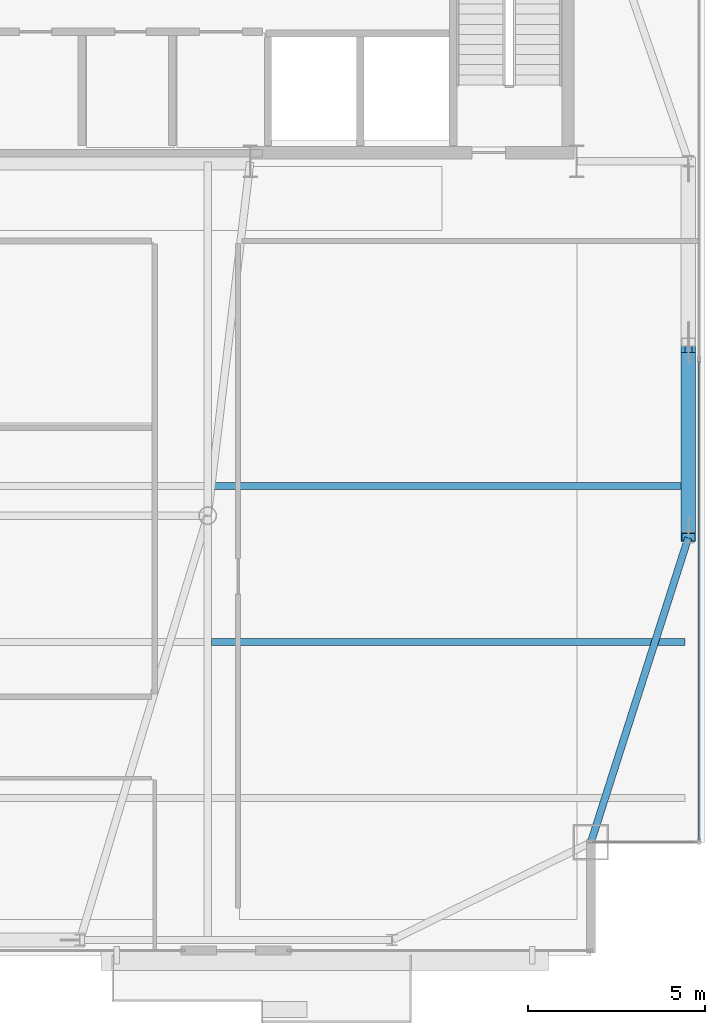
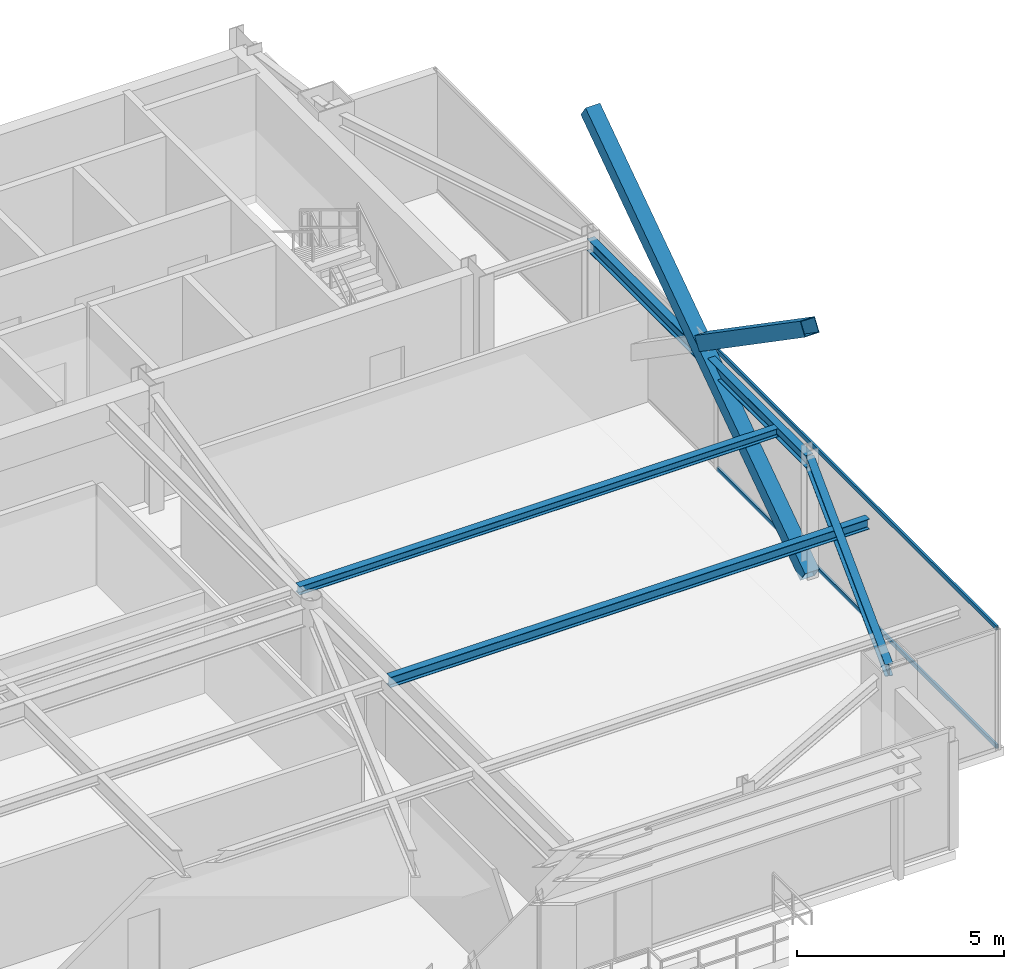
# One storey, part 13 of 25: 4 beams, 4 members, 1 element without a shape of its own.
"""IFC4 building model written with IfcOpenShell, lengths in metres."""

import ifcopenshell
import ifcopenshell.guid

model = None  # the IFC model being written
_history = None  # IfcOwnerHistory: only IFC2X3 demands one
_inside = {}  # id of a spatial element -> (the spatial element, [elements in it])
_under = {}  # id of a project, library or spatial element -> (it, [spatial elements below it])
_declared = {}  # id of a project -> (the project, [libraries it declares])
_typed = {}  # id of a type object -> (the type object, [elements of that type])
_made_of = {}  # id of a material, layer set ... -> (it, [elements and type objects made of it])


def new_model(schema):
    """Start an empty IFC model of exactly this schema.

    Asked for "IFC4X3", IfcOpenShell would pick the latest addendum, in which some entities
    have other attributes; the version numbers below select the first issue.
    IFC2X3 requires an IfcOwnerHistory on every rooted entity: one is made here for all.
    """
    global model, _history
    if schema == "IFC4X3":
        model = ifcopenshell.file(schema_version=(4, 3, 0, 0))
    else:
        model = ifcopenshell.file(schema=schema)
    _inside.clear()
    _under.clear()
    _declared.clear()
    _typed.clear()
    _made_of.clear()
    _history = None
    if model.schema == "IFC2X3":
        org = make("IfcOrganization", Name="unknown")
        user = make(
            "IfcPersonAndOrganization",
            ThePerson=make("IfcPerson", FamilyName="unknown"),
            TheOrganization=org,
        )
        app = make(
            "IfcApplication",
            ApplicationDeveloper=org,
            Version="unknown",
            ApplicationFullName="unknown",
            ApplicationIdentifier="unknown",
        )
        _history = make(
            "IfcOwnerHistory",
            OwningUser=user,
            OwningApplication=app,
            ChangeAction="ADDED",
            CreationDate=0,
        )
    return model


def make(cls, **values):
    """One entity of the class cls with the attributes given. An attribute that is None is left unset."""
    return model.create_entity(
        cls, **{name: value for name, value in values.items() if value is not None}
    )


def rooted(cls, **values):
    """An entity with a GlobalId (a new one), such as an element, a storey or a relation."""
    return make(cls, GlobalId=ifcopenshell.guid.new(), OwnerHistory=_history, **values)


def si_unit(unit_type, name, prefix=None):
    """IfcSIUnit, for example si_unit("LENGTHUNIT", "METRE", prefix="MILLI")."""
    return make("IfcSIUnit", UnitType=unit_type, Prefix=prefix, Name=name)


def assignment(units):
    """IfcUnitAssignment: the units of a project."""
    return None if units is None else make("IfcUnitAssignment", Units=units)


def point(xyz):
    """IfcCartesianPoint."""
    return None if xyz is None else make("IfcCartesianPoint", Coordinates=xyz)


def direction(xyz):
    """IfcDirection."""
    return None if xyz is None else make("IfcDirection", DirectionRatios=xyz)


def frame(location, z_axis=None, x_axis=None):
    """IfcAxis2Placement3D, a coordinate frame: its origin and axes. An axis left out is left unset."""
    return make(
        "IfcAxis2Placement3D",
        Location=point(location),
        Axis=direction(z_axis),
        RefDirection=direction(x_axis),
    )


def frame_2d(location, x_axis=None):
    """IfcAxis2Placement2D, a coordinate frame in the plane: its origin and x axis."""
    return make(
        "IfcAxis2Placement2D", Location=point(location), RefDirection=direction(x_axis)
    )


def origin():
    """The frame at (0, 0, 0) with its axes left unset."""
    return frame((0.0, 0.0, 0.0))


def origin_2d():
    """The frame at (0, 0) in the plane with its x axis left unset."""
    return frame_2d((0.0, 0.0))


def place(relative_to, where):
    """IfcLocalPlacement: puts the frame where relative to a parent placement (None: the world)."""
    return make(
        "IfcLocalPlacement", PlacementRelTo=relative_to, RelativePlacement=where
    )


def context(
    kind, dimensions, precision=None, world=None, true_north=None, identifier=None
):
    """IfcGeometricRepresentationContext, for example the 3D "Model" context."""
    return make(
        "IfcGeometricRepresentationContext",
        ContextIdentifier=identifier,
        ContextType=kind,
        CoordinateSpaceDimension=dimensions,
        Precision=precision,
        WorldCoordinateSystem=world,
        TrueNorth=true_north,
    )


def subcontext(parent, identifier, kind, view, scale=None):
    """IfcGeometricRepresentationSubContext, for example "Body" below "Model"."""
    return make(
        "IfcGeometricRepresentationSubContext",
        ContextIdentifier=identifier,
        ContextType=kind,
        ParentContext=parent,
        TargetScale=scale,
        TargetView=view,
    )


def project(units=None, contexts=None):
    """IfcProject with its units and contexts."""
    return rooted(
        "IfcProject",
        Name="project",
        RepresentationContexts=contexts,
        UnitsInContext=assignment(units),
    )


def spatial(cls, under=None, at=None, **own):
    """A site, building, storey or space (cls), placed at a placement, below another one or the project."""
    s = rooted(cls, ObjectPlacement=at, **own)
    if under is not None:
        _under.setdefault(under.id(), (under, []))[1].append(s)
    return s


def profile(cls, at=None, kind="AREA", **sizes):
    """A parametric profile (cls). Its sizes go by their IFC names, for example OverallWidth=200.0."""
    return make(cls, ProfileType=kind, Position=at, **sizes)


def hollow_rectangle(**sizes):
    """IfcRectangleHollowProfileDef."""
    return profile("IfcRectangleHollowProfileDef", **sizes)


def i_section(**sizes):
    """IfcIShapeProfileDef."""
    return profile("IfcIShapeProfileDef", **sizes)


def extrude(swept, where, along, depth):
    """IfcExtrudedAreaSolid: the profile swept, set in the frame where, extruded along a direction by depth."""
    return make(
        "IfcExtrudedAreaSolid",
        SweptArea=swept,
        Position=where,
        ExtrudedDirection=direction(along),
        Depth=depth,
    )


def shape(context_of_items, identifier, shape_type, items):
    """IfcShapeRepresentation: the items that make up one representation, for example the "Body"."""
    return make(
        "IfcShapeRepresentation",
        ContextOfItems=context_of_items,
        RepresentationIdentifier=identifier,
        RepresentationType=shape_type,
        Items=items,
    )


def source(mapping_origin, context_of_items, identifier, shape_type, items):
    """IfcRepresentationMap: a shape defined once, which mapped items show again and again."""
    return make(
        "IfcRepresentationMap",
        MappingOrigin=mapping_origin,
        MappedRepresentation=shape(context_of_items, identifier, shape_type, items),
    )


def transform(
    local_origin,
    x_axis=None,
    y_axis=None,
    z_axis=None,
    scale=None,
    scale2=None,
    scale3=None,
    uniform=True,
):
    """IfcCartesianTransformationOperator3D, or its non-uniform kind. x_axis, y_axis, z_axis: its Axis1, 2, 3."""
    if uniform:
        return make(
            "IfcCartesianTransformationOperator3D",
            Axis1=direction(x_axis),
            Axis2=direction(y_axis),
            LocalOrigin=point(local_origin),
            Scale=scale,
            Axis3=direction(z_axis),
        )
    return make(
        "IfcCartesianTransformationOperator3DnonUniform",
        Axis1=direction(x_axis),
        Axis2=direction(y_axis),
        LocalOrigin=point(local_origin),
        Scale=scale,
        Axis3=direction(z_axis),
        Scale2=scale2,
        Scale3=scale3,
    )


def mapped(mapping_source, mapping_target):
    """IfcMappedItem: shows the shape of a source again, moved by a transform."""
    return make(
        "IfcMappedItem", MappingSource=mapping_source, MappingTarget=mapping_target
    )


def material(Name=None, Category=None):
    """IfcMaterial."""
    return make("IfcMaterial", Name=Name, Category=Category)


def layer(
    of_material, thickness, ventilated=None, Name=None, Category=None, Priority=None
):
    """IfcMaterialLayer: one layer of a wall or slab, of a material (None: an air gap)."""
    return make(
        "IfcMaterialLayer",
        Material=of_material,
        LayerThickness=thickness,
        IsVentilated=ventilated,
        Name=Name,
        Category=Category,
        Priority=Priority,
    )


def layer_set(layers, Name=None):
    """IfcMaterialLayerSet."""
    return make("IfcMaterialLayerSet", MaterialLayers=layers, LayerSetName=Name)


def material_profile(
    of_material, cross_section, Name=None, Category=None, Priority=None
):
    """IfcMaterialProfile: a cross section and its material."""
    return make(
        "IfcMaterialProfile",
        Name=Name,
        Material=of_material,
        Profile=cross_section,
        Priority=Priority,
        Category=Category,
    )


def profile_set(profiles, Name=None, composite=None):
    """IfcMaterialProfileSet."""
    return make(
        "IfcMaterialProfileSet",
        Name=Name,
        MaterialProfiles=profiles,
        CompositeProfile=composite,
    )


def made_of(thing, what):
    """Note that an element or type object is made of a material, layer set ...; save() writes the relation."""
    if what is not None:
        _made_of.setdefault(what.id(), (what, []))[1].append(thing)
    return thing


def type_object(cls, material=None, **own):
    """A type object (cls), such as IfcWallType, which elements share."""
    return made_of(rooted(cls, **own), material)


def type_shapes(of_type, sources):
    """Give a type object the sources (RepresentationMaps) that its elements show as mapped items."""
    of_type.RepresentationMaps = sources


def element(
    cls,
    number,
    at=None,
    inside=None,
    cuts=None,
    type_object=None,
    material=None,
    context=None,
    identifier="Body",
    shape_type=None,
    held_by="IfcProductDefinitionShape",
    body=None,
    shapes=None,
    **own,
):
    """One element of the class cls, such as IfcWall. Its Tag is "e" and its number.

    at: its placement. inside: the storey or other place that contains it. cuts: it is an
    opening in that element (IfcRelVoidsElement). A single representation is given by context,
    identifier, shape_type and body (its items); several are given by shapes. held_by: the class
    of the entity that holds the representations. save() writes the other relations.
    """
    e = rooted(cls, Tag="e%d" % number, ObjectPlacement=at, **own)
    if body is not None:
        shapes = [shape(context, identifier, shape_type, body)]
    if shapes is not None:
        e.Representation = make(held_by, Representations=shapes)
    if inside is not None:
        _inside.setdefault(inside.id(), (inside, []))[1].append(e)
    if cuts is not None:
        rooted(
            "IfcRelVoidsElement", RelatingBuildingElement=cuts, RelatedOpeningElement=e
        )
    if type_object is not None:
        _typed.setdefault(type_object.id(), (type_object, []))[1].append(e)
    return made_of(e, material)


def aggregate(whole, parts):
    """IfcRelAggregates: a whole, such as a stair, and the parts it consists of."""
    return rooted("IfcRelAggregates", RelatingObject=whole, RelatedObjects=parts)


def save(model, path):
    """Write the relations noted so far, then the file.

    IfcRelAggregates (storeys below a building ...), IfcRelContainedInSpatialStructure (elements
    in a storey), IfcRelDefinesByType, IfcRelAssociatesMaterial and IfcRelDeclares: one each for
    every whole, place, type object, material and project.
    """
    for whole, parts in _under.values():
        aggregate(whole, parts)
    for where, things in _inside.values():
        rooted(
            "IfcRelContainedInSpatialStructure",
            RelatedElements=things,
            RelatingStructure=where,
        )
    for kind, things in _typed.values():
        rooted("IfcRelDefinesByType", RelatedObjects=things, RelatingType=kind)
    for what, things in _made_of.values():
        rooted("IfcRelAssociatesMaterial", RelatedObjects=things, RelatingMaterial=what)
    for by, libraries in _declared.values():
        rooted("IfcRelDeclares", RelatingContext=by, RelatedDefinitions=libraries)
    model.write(path)


model = new_model("IFC4")

# Units and contexts
model_context = context("Model", 3, precision=1e-05, world=origin(), true_north=direction((0.0, 1.0)))
body_context = subcontext(model_context, "Body", "Model", "MODEL_VIEW")
ifc_project = project(units=[si_unit("LENGTHUNIT", "METRE"), si_unit("AREAUNIT", "SQUARE_METRE"), si_unit("VOLUMEUNIT", "CUBIC_METRE"), si_unit("PLANEANGLEUNIT", "RADIAN"), si_unit("MASSUNIT", "GRAM", prefix="KILO")], contexts=[model_context])

# Site, building, storey
site_placement = place(None, origin())
site = spatial("IfcSite", under=ifc_project, at=site_placement, CompositionType="ELEMENT")
building_placement = place(site_placement, origin())
building = spatial("IfcBuilding", under=site, at=building_placement, Name="Varnel Quay Broadcast Tower", CompositionType="ELEMENT")
storey_placement = place(building_placement, frame((0.0, 0.0, 288.800048828125)))
storey = spatial("IfcBuildingStorey", under=building, at=storey_placement, Name="L72", CompositionType="ELEMENT", Elevation=288.800048828125)

# Beams
ifc_material_1 = material(Name="Structural Steel CSA G40.21 350W", Category="steel")
ifc_material_profile_1 = material_profile(ifc_material_1, i_section(OverallWidth=0.205078125, OverallDepth=0.35400390625, WebThickness=0.009521484375, FlangeThickness=0.016845703125, FilletRadius=0.012939453125, at=origin_2d()), Name="W360X79")
ifc_profile_set_1 = profile_set([ifc_material_profile_1], Name="Structural Steel CSA G40.21 350W")
beam_type_1 = type_object("IfcBeamType", Name="Beam_W360X79", PredefinedType="SPANDREL", material=ifc_profile_set_1)
shared_shape_1 = source(origin(), body_context, "Body", "SweptSolid", [
    extrude(i_section(OverallWidth=0.205078125, OverallDepth=0.35400390625, WebThickness=0.009521484375, FlangeThickness=0.016845703125, FilletRadius=0.012939453125, at=origin_2d()), origin(), (0.0, 0.0, 1.0), 8.989013671875),
])
beam_1_placement = place(storey_placement, frame((52.80615234375, 16.4189453125, 3.373046875), z_axis=(0.304568770162, 0.952490348635, 0.0), x_axis=(-0.952490348635, 0.304568770162, 0.0)))
element("IfcBeam", 1, at=beam_1_placement, inside=storey, type_object=beam_type_1, Name="L72 East Spandrel MC-SE-TC-E1", PredefinedType="SPANDREL", context=body_context, shape_type="MappedRepresentation", body=[
    mapped(shared_shape_1, transform((0.0, 0.0, 0.0), x_axis=(1.0, 0.0, 0.0), y_axis=(0.0, 1.0, 0.0), z_axis=(0.0, 0.0, 1.0), scale=1.0)),
])
shared_shape_2 = source(origin(), body_context, "Body", "SweptSolid", [
    extrude(i_section(OverallWidth=0.205078125, OverallDepth=0.35400390625, WebThickness=0.009521484375, FlangeThickness=0.016845703125, FilletRadius=0.012939453125, at=origin_2d()), origin(), (0.0, 0.0, 1.0), 10.56005859375),
])
type_shapes(beam_type_1, [shared_shape_1, shared_shape_2])
beam_2_placement = place(storey_placement, frame((55.550048828125, 25.02001953125, 3.373046875), z_axis=(0.0, 1.0, 0.0), x_axis=(-1.0, 0.0, 0.0)))
element("IfcBeam", 2, at=beam_2_placement, inside=storey, type_object=beam_type_1, Name="L72 East Spandrel TC-E1-TC-E2", PredefinedType="SPANDREL", context=body_context, shape_type="MappedRepresentation", body=[
    mapped(shared_shape_2, transform((0.0, 0.0, 0.0), x_axis=(1.0, 0.0, 0.0), y_axis=(0.0, 1.0, 0.0), z_axis=(0.0, 0.0, 1.0), scale=1.0)),
])
ifc_material_profile_2 = material_profile(ifc_material_1, i_section(OverallWidth=0.201904296875, OverallDepth=0.2470703125, WebThickness=0.00732421875, FlangeThickness=0.010986328125, FilletRadius=0.010986328125, at=origin_2d()), Name="W250X49")
ifc_profile_set_2 = profile_set([ifc_material_profile_2], Name="Structural Steel CSA G40.21 350W")
beam_type_2 = type_object("IfcBeamType", Name="Beam_W250X49", PredefinedType="JOIST", material=ifc_profile_set_2)
shared_shape_3 = source(origin(), body_context, "Body", "SweptSolid", [
    extrude(i_section(OverallWidth=0.201904296875, OverallDepth=0.2470703125, WebThickness=0.00732421875, FlangeThickness=0.010986328125, FilletRadius=0.010986328125, at=origin_2d()), origin(), (0.0, 0.0, 1.0), 13.351318359375),
])
type_shapes(beam_type_2, [shared_shape_3])
beam_3_placement = place(storey_placement, frame((42.10107421875, 26.449951171875, 3.426513671875), z_axis=(1.0, 0.0, 0.0), x_axis=(0.0, 1.0, 0.0)))
element("IfcBeam", 3, at=beam_3_placement, inside=storey, type_object=beam_type_2, Name="L72 East Floor Joist 3", PredefinedType="JOIST", context=body_context, shape_type="MappedRepresentation", body=[
    mapped(shared_shape_3, transform((0.0, 0.0, 0.0), x_axis=(1.0, 0.0, 0.0), y_axis=(0.0, 1.0, 0.0), z_axis=(0.0, 0.0, 1.0), scale=1.0)),
])
ifc_material_profile_3 = material_profile(ifc_material_1, i_section(OverallWidth=0.202880859375, OverallDepth=0.302978515625, WebThickness=0.007568359375, FlangeThickness=0.01318359375, FilletRadius=0.011962890625, at=origin_2d()), Name="W310X60")
ifc_profile_set_3 = profile_set([ifc_material_profile_3], Name="Structural Steel CSA G40.21 350W")
beam_type_3 = type_object("IfcBeamType", Name="Beam_W310X60", PredefinedType="JOIST", material=ifc_profile_set_3)
shared_shape_4 = source(origin(), body_context, "Body", "SweptSolid", [
    extrude(i_section(OverallWidth=0.202880859375, OverallDepth=0.302978515625, WebThickness=0.007568359375, FlangeThickness=0.01318359375, FilletRadius=0.011962890625, at=origin_2d()), origin(), (0.0, 0.0, 1.0), 13.351318359375),
])
type_shapes(beam_type_3, [shared_shape_4])
beam_4_placement = place(storey_placement, frame((42.10107421875, 22.050048828125, 3.3984375), z_axis=(1.0, 0.0, 0.0), x_axis=(0.0, 1.0, 0.0)))
element("IfcBeam", 4, at=beam_4_placement, inside=storey, type_object=beam_type_3, Name="L72 East Floor Joist 2", PredefinedType="JOIST", context=body_context, shape_type="MappedRepresentation", body=[
    mapped(shared_shape_4, transform((0.0, 0.0, 0.0), x_axis=(1.0, 0.0, 0.0), y_axis=(0.0, 1.0, 0.0), z_axis=(0.0, 0.0, 1.0), scale=1.0)),
])

# Members
ifc_material_profile_4 = material_profile(ifc_material_1, hollow_rectangle(XDim=0.406005859375, YDim=0.406005859375, WallThickness=0.01611328125, at=origin_2d()), Name="HSS406X406X16")
ifc_profile_set_4 = profile_set([ifc_material_profile_4], Name="Structural Steel CSA G40.21 350W")
member_type_1 = type_object("IfcMemberType", Name="Brace_HSS406X406X16", PredefinedType="BRACE", material=ifc_profile_set_4)
shared_shape_5 = source(origin(), body_context, "Body", "SweptSolid", [
    extrude(hollow_rectangle(XDim=0.406005859375, YDim=0.406005859375, WallThickness=0.01611328125, at=origin_2d()), origin(), (0.0, 0.0, 1.0), 12.876220703125),
])
member_1_placement = place(storey_placement, frame((55.550048828125, 25.0, 0.02001953125), z_axis=(0.0, 0.823234480846, 0.567701496868), x_axis=(-1.0, 0.0, 0.0)))
element("IfcMember", 5, at=member_1_placement, inside=storey, type_object=member_type_1, Name="Zone 5 Mega-Brace E-FT3 Continuous Diag A", PredefinedType="BRACE", context=body_context, shape_type="MappedRepresentation", body=[
    mapped(shared_shape_5, transform((0.0, 0.0, 0.0), x_axis=(1.0, 0.0, 0.0), y_axis=(0.0, 1.0, 0.0), z_axis=(0.0, 0.0, 1.0), scale=1.0)),
])
shared_shape_6 = source(origin(), body_context, "Body", "SweptSolid", [
    extrude(hollow_rectangle(XDim=0.406005859375, YDim=0.406005859375, WallThickness=0.01611328125, at=origin_2d()), origin(), (0.0, 0.0, 1.0), 6.19580078125),
])
type_shapes(member_type_1, [shared_shape_5, shared_shape_6])
member_2_placement = place(storey_placement, frame((55.550048828125, 30.1005859375, 3.8125), z_axis=(0.0, -0.823236281778, 0.567698885295), x_axis=(1.0, 0.0, 0.0)))
element("IfcMember", 6, at=member_2_placement, inside=storey, type_object=member_type_1, Name="Zone 5 Mega-Brace E-FT3 Split Diag B2", PredefinedType="BRACE", context=body_context, shape_type="MappedRepresentation", body=[
    mapped(shared_shape_6, transform((0.0, 0.0, 0.0), x_axis=(1.0, 0.0, 0.0), y_axis=(0.0, 1.0, 0.0), z_axis=(0.0, 0.0, 1.0), scale=1.0)),
])

# Curtain wall, members
ifc_material_2 = material(Name="Anodised Bronze Aluminium 6063-T6", Category="aluminium")
ifc_layer = layer(ifc_material_2, 0.18994140625, Name="Anodised Bronze Aluminium 6063-T6")
ifc_layer_set = layer_set([ifc_layer], Name="Anodised Bronze Aluminium 6063-T6")
curtain_wall_type = type_object("IfcCurtainWallType", Name="CW_UpperTower", PredefinedType="NOTDEFINED", material=ifc_layer_set)
curtain_wall_placement = place(storey_placement, origin())
curtain_wall = element("IfcCurtainWall", 7, at=curtain_wall_placement, inside=storey, type_object=curtain_wall_type, Name="L72 East Unitised Curtain Wall", PredefinedType="NOTDEFINED")
ifc_material_profile_5 = material_profile(ifc_material_2, hollow_rectangle(XDim=0.06005859375, YDim=0.125, WallThickness=0.0029296875, at=origin_2d()), Name="ALU60X125X3")
ifc_profile_set_5 = profile_set([ifc_material_profile_5], Name="Anodised Bronze Aluminium 6063-T6")
member_type_2 = type_object("IfcMemberType", Name="Tran_CWS-03", PredefinedType="USERDEFINED", material=ifc_profile_set_5)
shared_shape_7 = source(origin(), body_context, "Body", "SweptSolid", [
    extrude(hollow_rectangle(XDim=0.06005859375, YDim=0.125, WallThickness=0.0029296875, at=origin_2d()), origin(), (0.0, 0.0, 1.0), 13.50244140625),
])
type_shapes(member_type_2, [shared_shape_7])
member_3_placement = place(storey_placement, frame((55.85009765625, 16.465087890625, 0.030029296875), z_axis=(0.0, 1.0, 0.0), x_axis=(-1.0, 0.0, 0.0)))
member_3 = element("IfcMember", 8, at=member_3_placement, type_object=member_type_2, Name="CWS-03 transom 1.1", ObjectType="TRANSOM", PredefinedType="USERDEFINED", context=body_context, shape_type="MappedRepresentation", body=[
    mapped(shared_shape_7, transform((0.0, 0.0, 0.0), x_axis=(1.0, 0.0, 0.0), y_axis=(0.0, 1.0, 0.0), z_axis=(0.0, 0.0, 1.0), scale=1.0)),
])
member_4_placement = place(storey_placement, frame((55.85009765625, 16.465087890625, 3.52001953125), z_axis=(0.0, 1.0, 0.0), x_axis=(-1.0, 0.0, 0.0)))
member_4 = element("IfcMember", 9, at=member_4_placement, type_object=member_type_2, Name="CWS-03 transom 1.2", ObjectType="TRANSOM", PredefinedType="USERDEFINED", context=body_context, shape_type="MappedRepresentation", body=[
    mapped(shared_shape_7, transform((0.0, 0.0, 0.0), x_axis=(1.0, 0.0, 0.0), y_axis=(0.0, 1.0, 0.0), z_axis=(0.0, 0.0, 1.0), scale=1.0)),
])
aggregate(curtain_wall, [member_3, member_4])

save(model, "model.ifc")
